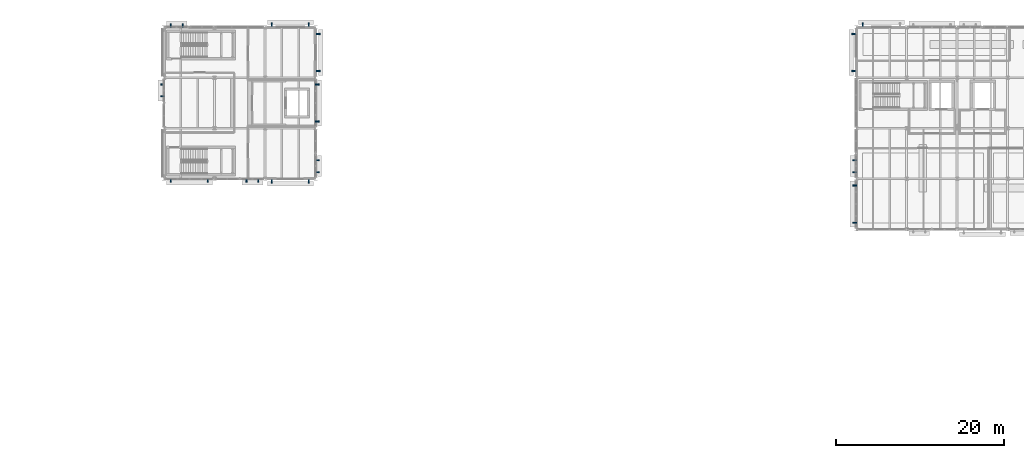
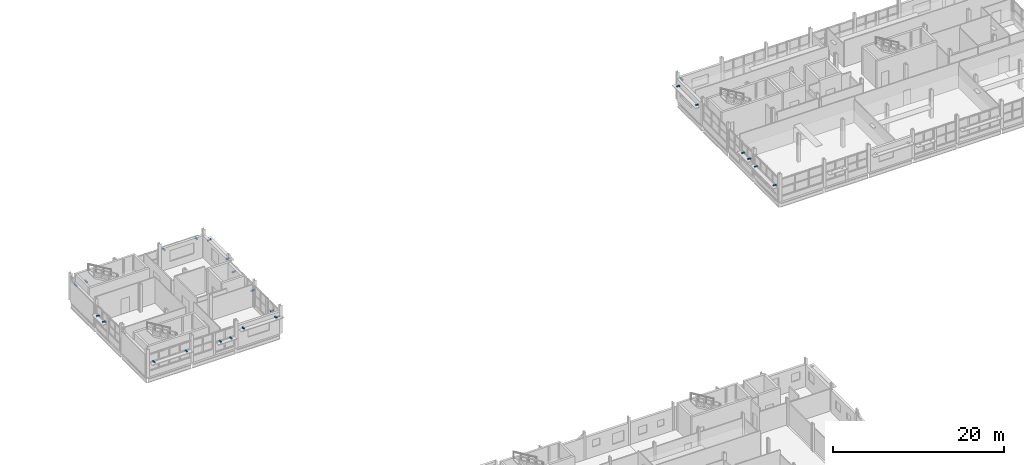
# One storey, part 83 of 92: 25 discrete accessories.
"""IFC4 building model written with IfcOpenShell, lengths in metres."""

from ifc_helpers import new_model, si_unit, direction, frame, origin, origin_2d, place, context, subcontext, project, spatial, rectangle, extrude, material, type_object, element, save


model = new_model("IFC4")

# Units and contexts
model_context = context("Model", 3, precision=1e-05, world=origin(), true_north=direction((0.0, 1.0)))
body_context = subcontext(model_context, "Body", "Model", "MODEL_VIEW")
ifc_project = project(units=[si_unit("LENGTHUNIT", "METRE"), si_unit("AREAUNIT", "SQUARE_METRE"), si_unit("VOLUMEUNIT", "CUBIC_METRE"), si_unit("PLANEANGLEUNIT", "RADIAN"), si_unit("MASSUNIT", "GRAM", prefix="KILO")], contexts=[model_context])

# Site, building, storey
site_placement = place(None, origin())
site = spatial("IfcSite", under=ifc_project, at=site_placement, CompositionType="ELEMENT")
building_placement = place(site_placement, origin())
building = spatial("IfcBuilding", under=site, at=building_placement, Name="Siltcreek Boulevard Central Fire Station", CompositionType="ELEMENT")
storey_placement = place(building_placement, frame((0.0, 0.0, 6.0)))
storey = spatial("IfcBuildingStorey", under=building, at=storey_placement, Name="L02", CompositionType="ELEMENT", Elevation=6.0)

# Discrete accessories
ifc_material = material(Name="Hot-dip galvanized steel facade outrigger bracket", Category="steel")
discrete_accessory_type = type_object("IfcDiscreteAccessoryType", Name="ACC_BRACKET", PredefinedType="BRACKET", material=ifc_material)
for number, where, z_axis, x_axis, name in (
    (1, (42.794921875, 94.02001953125, 1.896484375), (0.0, 0.0, 1.0), (1.0, 0.0, 0.0), "Galvanized sunshade support bracket BK-045"),
    (2, (47.205078125, 94.02001953125, 1.896484375), (0.0, 0.0, 1.0), (1.0, 0.0, 0.0), "Galvanized sunshade support bracket BK-046"),
    (3, (51.7900390625, 94.02001953125, 1.65673828125), (0.0, 0.0, 1.0), (1.0, 0.0, 0.0), "Galvanized sunshade support bracket BK-047"),
    (4, (53.205078125, 94.02001953125, 1.65673828125), (0.0, 0.0, 1.0), (1.0, 0.0, 0.0), "Galvanized sunshade support bracket BK-048"),
    (5, (54.794921875, 93.8798828125, 2.58984375), (0.0, 0.0, 1.0), (1.0, 0.0, 0.0), "Galvanized sunshade support bracket BK-049"),
    (6, (59.205078125, 93.8798828125, 2.58984375), (0.0, 0.0, 1.0), (1.0, 0.0, 0.0), "Galvanized sunshade support bracket BK-050"),
    (7, (44.2099609375, 112.3798828125, 1.7763671875), (0.0, 0.0, 1.0), (-1.0, 0.0, 0.0), "Galvanized sunshade support bracket BK-051"),
    (8, (42.794921875, 112.3798828125, 1.7763671875), (0.0, 0.0, 1.0), (-1.0, 0.0, 0.0), "Galvanized sunshade support bracket BK-052"),
    (9, (59.205078125, 112.52001953125, 2.58984375), (0.0, 0.0, 1.0), (-1.0, 0.0, 0.0), "Galvanized sunshade support bracket BK-053"),
    (10, (54.794921875, 112.52001953125, 2.58984375), (0.0, 0.0, 1.0), (-1.0, 0.0, 0.0), "Galvanized sunshade support bracket BK-054"),
    (11, (41.820068359375, 105.405029296875, 1.8984375), (0.0, 0.0, 1.0), (0.0, -1.0, 0.0), "Galvanized sunshade support bracket BK-055"),
    (12, (41.820068359375, 103.989990234375, 1.8984375), (0.0, 0.0, 1.0), (0.0, -1.0, 0.0), "Galvanized sunshade support bracket BK-056"),
    (13, (60.179931640625, 94.9951171875, 1.65869140625), (0.0, 0.0, 1.0), (0.0, 1.0, 0.0), "Galvanized sunshade support bracket BK-057"),
    (14, (60.179931640625, 96.409912109375, 1.65869140625), (0.0, 0.0, 1.0), (0.0, 1.0, 0.0), "Galvanized sunshade support bracket BK-058"),
    (15, (60.179931640625, 100.9951171875, 1.7783203125), (0.0, 0.0, 1.0), (0.0, 1.0, 0.0), "Galvanized sunshade support bracket BK-059"),
    (16, (60.179931640625, 105.405029296875, 1.7783203125), (0.0, 0.0, 1.0), (0.0, 1.0, 0.0), "Galvanized sunshade support bracket BK-060"),
    (17, (60.320068359375, 106.9951171875, 2.64013671875), (0.0, 0.0, 1.0), (0.0, 1.0, 0.0), "Galvanized sunshade support bracket BK-061"),
    (18, (60.320068359375, 111.405029296875, 2.64013671875), (0.0, 0.0, 1.0), (0.0, 1.0, 0.0), "Galvanized sunshade support bracket BK-062"),
    (19, (124.9951171875, 112.52001953125, 2.39990234375), (0.0, 0.0, 1.0), (-1.0, 0.0, 0.0), "Galvanized sunshade support bracket BK-180"),
    (20, (124.02001953125, 93.405029296875, 1.7783203125), (0.0, 0.0, 1.0), (0.0, -1.0, 0.0), "Galvanized sunshade support bracket BK-191"),
    (21, (124.02001953125, 88.9951171875, 1.7783203125), (0.0, 0.0, 1.0), (0.0, -1.0, 0.0), "Galvanized sunshade support bracket BK-192"),
    (22, (124.02001953125, 96.409912109375, 1.8984375), (0.0, 0.0, 1.0), (0.0, -1.0, 0.0), "Galvanized sunshade support bracket BK-193"),
    (23, (124.02001953125, 94.9951171875, 1.8984375), (0.0, 0.0, 1.0), (0.0, -1.0, 0.0), "Galvanized sunshade support bracket BK-194"),
    (24, (123.8798828125, 111.405029296875, 2.39990234375), (0.0, 0.0, 1.0), (0.0, -1.0, 0.0), "Galvanized sunshade support bracket BK-195"),
    (25, (123.8798828125, 106.9951171875, 2.39990234375), (0.0, 0.0, 1.0), (0.0, -1.0, 0.0), "Galvanized sunshade support bracket BK-196"),
):
    element("IfcDiscreteAccessory", number, at=place(storey_placement, frame(where, z_axis=z_axis, x_axis=x_axis)), inside=storey, type_object=discrete_accessory_type, Name=name, PredefinedType="BRACKET", context=body_context, shape_type="SweptSolid", body=[
        extrude(rectangle(XDim=0.139892578125, YDim=0.4599609375, at=origin_2d()), origin(), (0.0, 0.0, 1.0), 0.159912109375),
    ])

save(model, "model.ifc")
